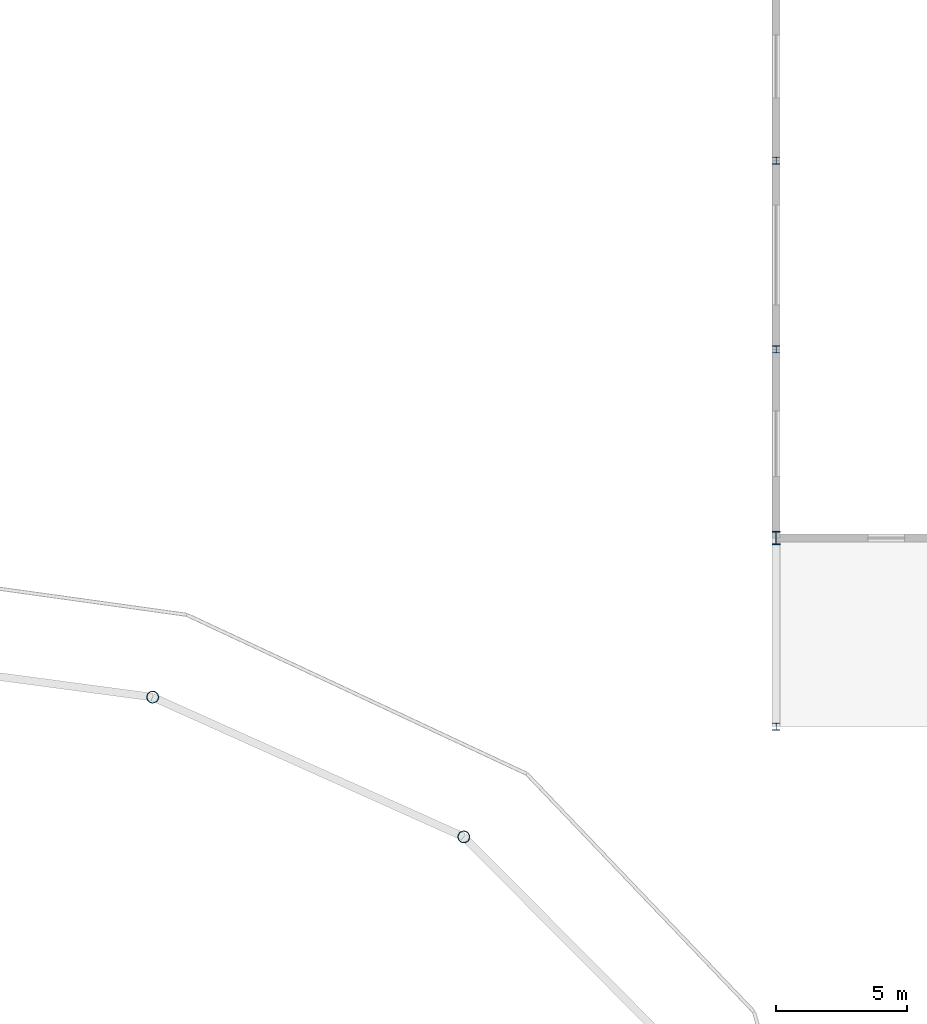
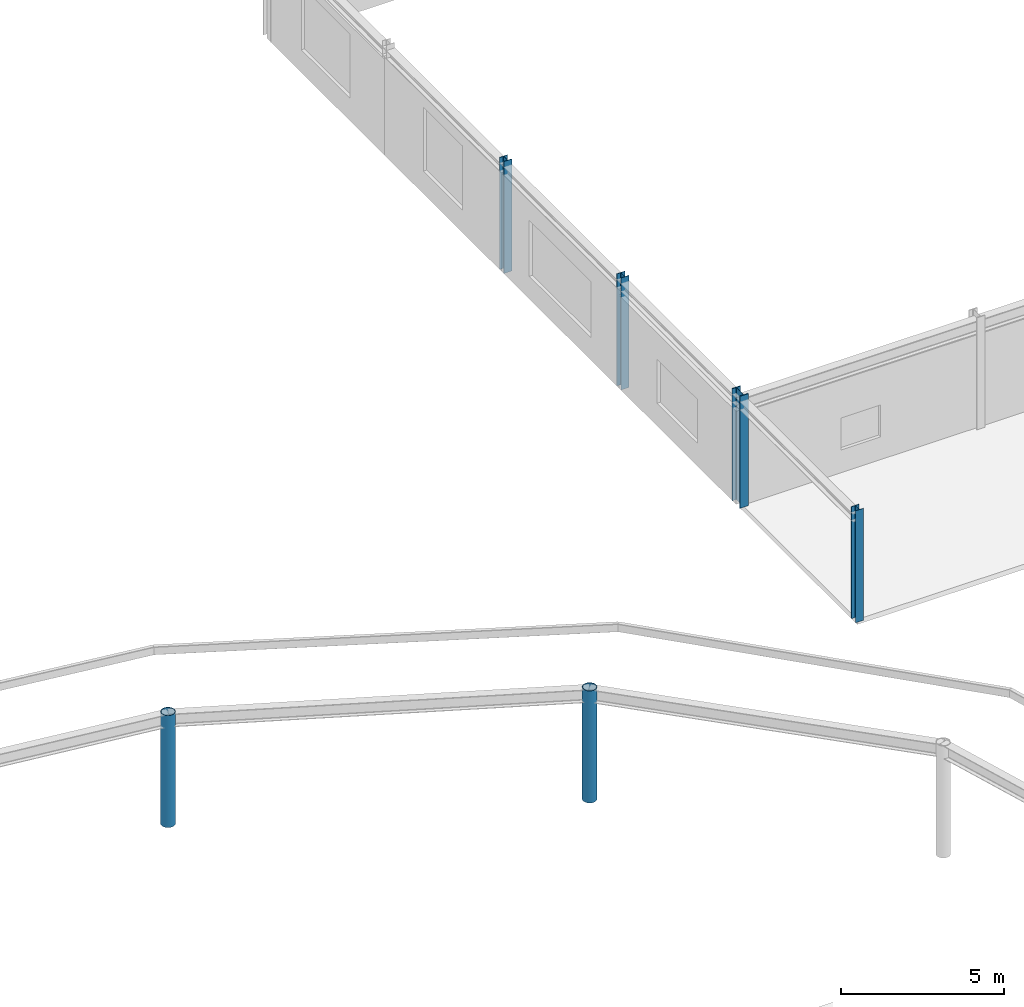
# One storey, part 9 of 73: 6 columns.
"""IFC4 building model written with IfcOpenShell, lengths in metres."""

from ifc_helpers import new_model, si_unit, derived_unit, direction, frame, origin, origin_2d, place, context, subcontext, project, spatial, hollow_circle, i_section, extrude, material, material_profile, profile_set, type_object, element, save


model = new_model("IFC4")

# Units and contexts
model_context = context("Model", 3, precision=1e-05, world=origin(), true_north=direction((0.0, 1.0)))
body_context = subcontext(model_context, "Body", "Model", "MODEL_VIEW")
ifc_project = project(units=[si_unit("LENGTHUNIT", "METRE"), si_unit("AREAUNIT", "SQUARE_METRE"), si_unit("VOLUMEUNIT", "CUBIC_METRE"), si_unit("PLANEANGLEUNIT", "RADIAN"), si_unit("MASSUNIT", "GRAM", prefix="KILO"), derived_unit("THERMALTRANSMITTANCEUNIT", [(si_unit("MASSUNIT", "GRAM", prefix="KILO"), 1), (si_unit("TIMEUNIT", "SECOND"), -3), (si_unit("THERMODYNAMICTEMPERATUREUNIT", "KELVIN"), -1)])], contexts=[model_context])

# Site, building, storey
site_placement = place(None, origin())
site = spatial("IfcSite", under=ifc_project, at=site_placement, CompositionType="ELEMENT")
building_placement = place(site_placement, origin())
building = spatial("IfcBuilding", under=site, at=building_placement, Name="Kharveza Railside Sports Centre", CompositionType="ELEMENT")
storey_placement = place(building_placement, frame((0.0, 0.0, 8.699951171875)))
storey = spatial("IfcBuildingStorey", under=building, at=storey_placement, Name="L02", CompositionType="ELEMENT", Elevation=8.699951171875)

# Columns
ifc_material = material(Name="Steel S355J2", Category="steel")
ifc_material_profile_1 = material_profile(ifc_material, i_section(OverallWidth=0.300048828125, OverallDepth=0.5, WebThickness=0.014404296875, FlangeThickness=0.028076171875, FilletRadius=0.027099609375, at=origin_2d()), Name="HEB 500")
ifc_profile_set_1 = profile_set([ifc_material_profile_1], Name="Steel S355J2")
column_type_1 = type_object("IfcColumnType", Name="COL-S03", PredefinedType="COLUMN", material=ifc_profile_set_1)
column_placement = place(storey_placement, frame((92.39990234375, 79.199951171875, 0.0), z_axis=(0.0, 0.0, 1.0), x_axis=(1.0, 0.0, 0.0)))
element("IfcColumn", 1, at=column_placement, inside=storey, type_object=column_type_1, Name="COL-G-C03-X924-Y792-L02", PredefinedType="COLUMN", context=body_context, shape_type="SweptSolid", body=[
    extrude(i_section(OverallWidth=0.300048828125, OverallDepth=0.5, WebThickness=0.014404296875, FlangeThickness=0.028076171875, FilletRadius=0.027099609375, at=origin_2d()), origin(), (0.0, 0.0, 1.0), 4.199951171875),
])
ifc_material_profile_2 = material_profile(ifc_material, i_section(OverallWidth=0.280029296875, OverallDepth=0.27001953125, WebThickness=0.008056640625, FlangeThickness=0.012939453125, FilletRadius=0.02392578125, at=origin_2d()), Name="HEA 280")
ifc_profile_set_2 = profile_set([ifc_material_profile_2], Name="Steel S355J2")
column_type_2 = type_object("IfcColumnType", Name="COL-S13", PredefinedType="COLUMN", material=ifc_profile_set_2)
for number, where, z_axis, x_axis, name in (
    (2, (92.39990234375, 72.0, 0.0), (0.0, 0.0, 1.0), (1.0, 0.0, 0.0), "COL-G-C13-X924-Y720-L02"),
    (3, (92.39990234375, 86.39990234375, 0.0), (0.0, 0.0, 1.0), (1.0, 0.0, 0.0), "COL-G-C13-X924-Y864-L02"),
    (4, (92.39990234375, 93.60009765625, 0.0), (0.0, 0.0, 1.0), (1.0, 0.0, 0.0), "COL-G-C13-X924-Y936-L02"),
):
    element("IfcColumn", number, at=place(storey_placement, frame(where, z_axis=z_axis, x_axis=x_axis)), inside=storey, type_object=column_type_2, Name=name, PredefinedType="COLUMN", context=body_context, shape_type="SweptSolid", body=[
        extrude(i_section(OverallWidth=0.280029296875, OverallDepth=0.27001953125, WebThickness=0.008056640625, FlangeThickness=0.012939453125, FilletRadius=0.02392578125, at=origin_2d()), origin(), (0.0, 0.0, 1.0), 4.199951171875),
    ])
ifc_material_profile_3 = material_profile(ifc_material, hollow_circle(Radius=0.228515625, WallThickness=0.02001953125, at=origin_2d()), Name="CHS 457.0x20.0")
ifc_profile_set_3 = profile_set([ifc_material_profile_3], Name="Steel S355J2")
column_type_3 = type_object("IfcColumnType", Name="COL-T01", PredefinedType="COLUMN", material=ifc_profile_set_3)
for number, where, z_axis, x_axis, name in (
    (5, (80.47998046875, 67.794921875, 0.0), (0.0, 0.0, 1.0), (1.0, 0.0, 0.0), "COL-DRUM-03-L02"),
    (6, (68.606201171875, 73.12744140625, 0.0), (0.0, 0.0, 1.0), (1.0, 0.0, 0.0), "COL-DRUM-04-L02"),
):
    element("IfcColumn", number, at=place(storey_placement, frame(where, z_axis=z_axis, x_axis=x_axis)), inside=storey, type_object=column_type_3, Name=name, PredefinedType="COLUMN", context=body_context, shape_type="SweptSolid", body=[
        extrude(hollow_circle(Radius=0.228515625, WallThickness=0.02001953125, at=origin_2d()), origin(), (0.0, 0.0, 1.0), 4.199951171875),
    ])

save(model, "model.ifc")
